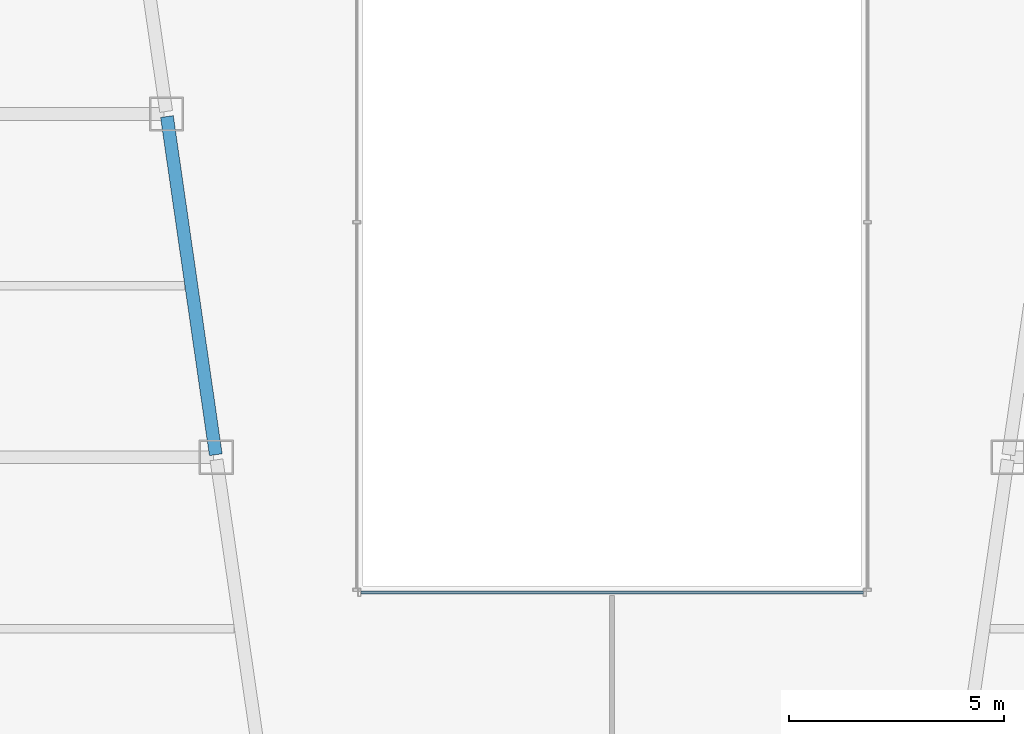
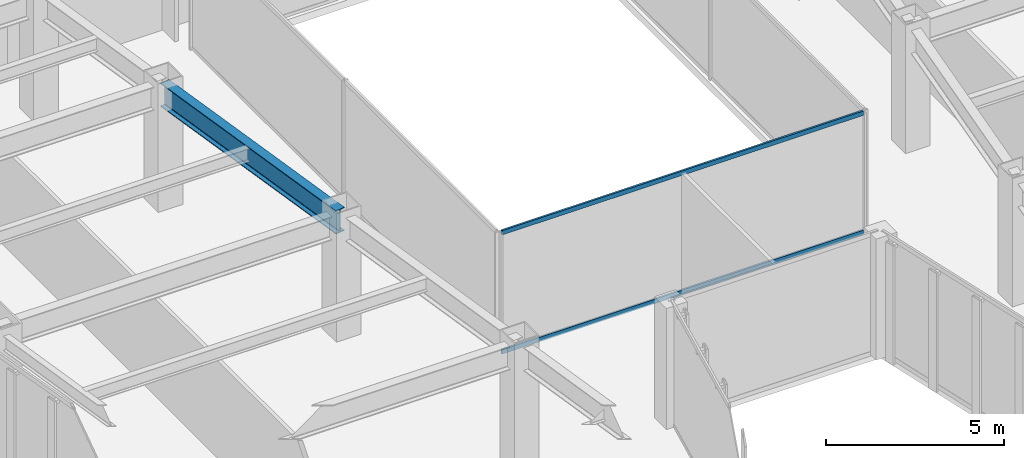
# One storey, part 13 of 47: 2 members, 1 beam, 1 element without a shape of its own.
"""IFC4 building model written with IfcOpenShell, lengths in metres."""

from ifc_helpers import new_model, si_unit, direction, frame, origin, origin_2d, place, context, subcontext, project, spatial, hollow_rectangle, i_section, extrude, material, material_profile, profile_set, type_object, element, aggregate, save


model = new_model("IFC4")

# Units and contexts
model_context = context("Model", 3, precision=1e-05, world=origin(), true_north=direction((0.0, 1.0)))
body_context = subcontext(model_context, "Body", "Model", "MODEL_VIEW")
ifc_project = project(units=[si_unit("LENGTHUNIT", "METRE"), si_unit("AREAUNIT", "SQUARE_METRE"), si_unit("VOLUMEUNIT", "CUBIC_METRE"), si_unit("PLANEANGLEUNIT", "RADIAN"), si_unit("MASSUNIT", "GRAM", prefix="KILO")], contexts=[model_context])

# Site, building, storey
site_placement = place(None, origin())
site = spatial("IfcSite", under=ifc_project, at=site_placement, CompositionType="ELEMENT")
building_placement = place(site_placement, origin())
building = spatial("IfcBuilding", under=site, at=building_placement, Name="Saevonmaru Cultural Tower", CompositionType="ELEMENT")
storey_placement = place(building_placement, frame((0.0, 0.0, 56.0)))
storey = spatial("IfcBuildingStorey", under=building, at=storey_placement, Name="L11", CompositionType="ELEMENT", Elevation=56.0)

# Beam
ifc_material_1 = material(Name="Steel SM420", Category="steel")
ifc_material_profile_1 = material_profile(ifc_material_1, i_section(OverallWidth=0.300048828125, OverallDepth=0.800048828125, WebThickness=0.013916015625, FlangeThickness=0.02587890625, FilletRadius=0.028076171875, at=origin_2d()), Name="H-800x300x14x26")
ifc_profile_set_1 = profile_set([ifc_material_profile_1], Name="Steel SM420")
beam_type = type_object("IfcBeamType", Name="BM-G-H800", PredefinedType="BEAM", material=ifc_profile_set_1)
beam_placement = place(storey_placement, frame((20.763427734375, 24.059326171875, 3.75), z_axis=(-0.142902032203, 0.989736838353, 0.0), x_axis=(-0.989736838353, -0.142902032203, 0.0)))
element("IfcBeam", 1, at=beam_placement, inside=storey, type_object=beam_type, Name="L11 West Atrium Girder 4", PredefinedType="BEAM", context=body_context, shape_type="SweptSolid", body=[
    extrude(i_section(OverallWidth=0.300048828125, OverallDepth=0.800048828125, WebThickness=0.013916015625, FlangeThickness=0.02587890625, FilletRadius=0.028076171875, at=origin_2d()), origin(), (0.0, 0.0, 1.0), 7.963134765625),
])

# Curtain wall, members
ifc_material_2 = material(Name="Satin Bronze Anodised Aluminium", Category="aluminium")
curtain_wall_type = type_object("IfcCurtainWallType", Name="CW-ATR-GLZ", PredefinedType="NOTDEFINED", material=ifc_material_2)
curtain_wall_placement = place(storey_placement, origin())
curtain_wall = element("IfcCurtainWall", 2, at=curtain_wall_placement, inside=storey, type_object=curtain_wall_type, Name="L11 Vertical Atrium Glazed Smoke Screen 1", PredefinedType="NOTDEFINED")
ifc_material_profile_2 = material_profile(ifc_material_2, hollow_rectangle(XDim=0.06494140625, YDim=0.14990234375, WallThickness=0.00390625, at=origin_2d()), Name="ALU-TRAN-150x65x4")
ifc_profile_set_2 = profile_set([ifc_material_profile_2], Name="Satin Bronze Anodised Aluminium")
member_type = type_object("IfcMemberType", Name="TR-CW-INT-150x65", PredefinedType="USERDEFINED", material=ifc_profile_set_2)
member_1_placement = place(storey_placement, frame((24.142578125, 20.85009765625, 0.032470703125), z_axis=(1.0, 0.0, 0.0), x_axis=(0.0, 1.0, 0.0)))
member_1 = element("IfcMember", 3, at=member_1_placement, type_object=member_type, Name="CW-ATR-L11-1 transom 1.1", ObjectType="TRANSOM", PredefinedType="USERDEFINED", context=body_context, shape_type="SweptSolid", body=[
    extrude(hollow_rectangle(XDim=0.06494140625, YDim=0.14990234375, WallThickness=0.00390625, at=origin_2d()), origin(), (0.0, 0.0, 1.0), 11.71484375),
])
member_2_placement = place(storey_placement, frame((24.142578125, 20.85009765625, 4.117431640625), z_axis=(1.0, 0.0, 0.0), x_axis=(0.0, 1.0, 0.0)))
member_2 = element("IfcMember", 4, at=member_2_placement, type_object=member_type, Name="CW-ATR-L11-1 transom 1.2", ObjectType="TRANSOM", PredefinedType="USERDEFINED", context=body_context, shape_type="SweptSolid", body=[
    extrude(hollow_rectangle(XDim=0.06494140625, YDim=0.14990234375, WallThickness=0.00390625, at=origin_2d()), origin(), (0.0, 0.0, 1.0), 11.71484375),
])
aggregate(curtain_wall, [member_1, member_2])

save(model, "model.ifc")
